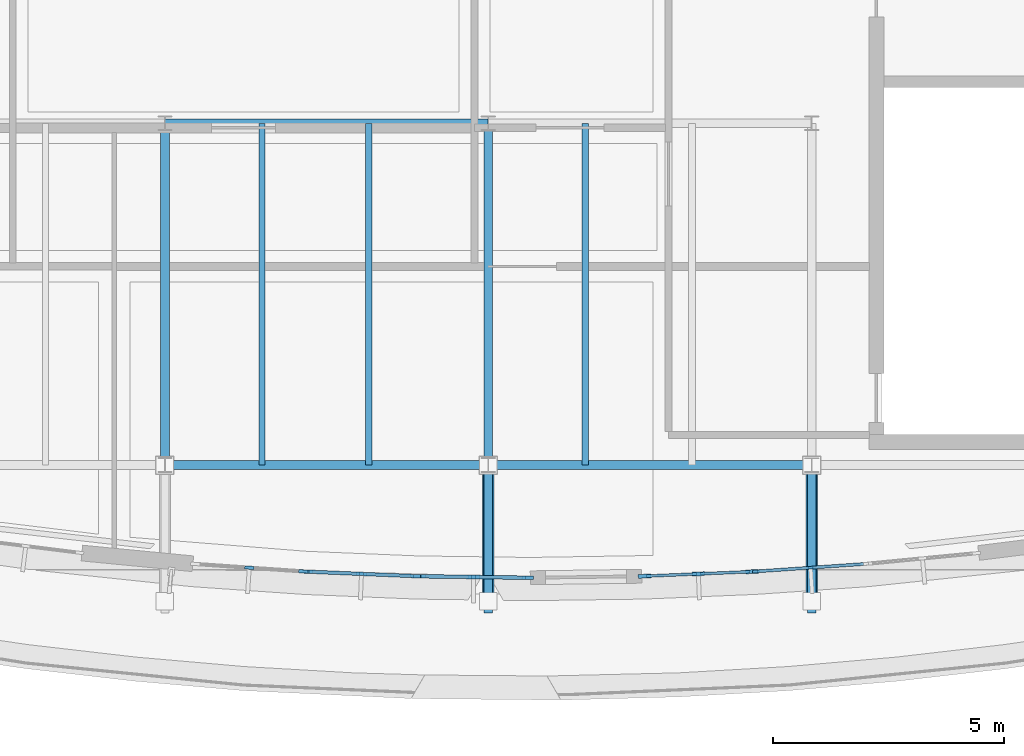
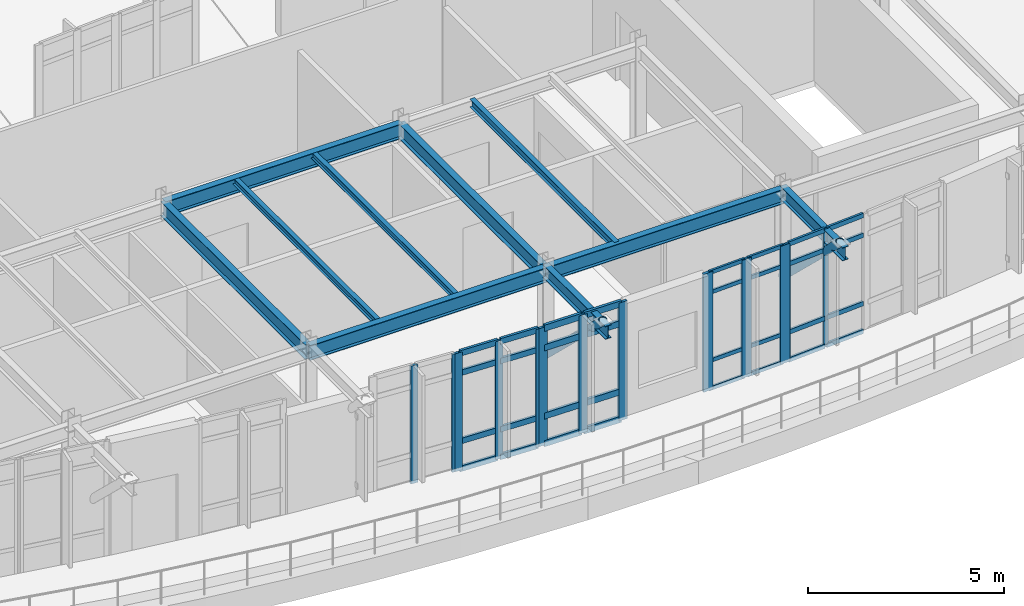
# One storey, part 30 of 105: 47 members, 10 beams, 5 elements without a shape of their own.
"""IFC4 building model written with IfcOpenShell, lengths in metres."""

from ifc_helpers import new_model, si_unit, direction, frame, origin, origin_2d, place, context, subcontext, project, spatial, rectangle, hollow_circle, i_section, extrude, material, material_profile, profile_set, type_object, element, aggregate, save


model = new_model("IFC4")

# Units and contexts
model_context = context("Model", 3, precision=1e-05, world=origin(), true_north=direction((0.0, 1.0)))
body_context = subcontext(model_context, "Body", "Model", "MODEL_VIEW")
ifc_project = project(units=[si_unit("LENGTHUNIT", "METRE"), si_unit("AREAUNIT", "SQUARE_METRE"), si_unit("VOLUMEUNIT", "CUBIC_METRE"), si_unit("PLANEANGLEUNIT", "RADIAN"), si_unit("MASSUNIT", "GRAM", prefix="KILO")], contexts=[model_context])

# Site, building, storey
site_placement = place(None, origin())
site = spatial("IfcSite", under=ifc_project, at=site_placement, CompositionType="ELEMENT")
building_placement = place(site_placement, origin())
building = spatial("IfcBuilding", under=site, at=building_placement, Name="Corveleigh Park Community Centre", CompositionType="ELEMENT")
storey_placement = place(building_placement, frame((0.0, 0.0, 8.699951171875)))
storey = spatial("IfcBuildingStorey", under=building, at=storey_placement, Name="L02", CompositionType="ELEMENT", Elevation=8.699951171875)

# Beams
ifc_material_1 = material(Name="Steel S355", Category="steel")
ifc_material_profile_1 = material_profile(ifc_material_1, i_section(OverallWidth=0.1337890625, OverallDepth=0.206787109375, WebThickness=0.00634765625, FlangeThickness=0.009521484375, at=origin_2d()), Name="UKB 203x133x30", Category="steel")
ifc_profile_set_1 = profile_set([ifc_material_profile_1], Name="Steel S355")
beam_type_1 = type_object("IfcBeamType", Name="BM-STL-UKB203x30", PredefinedType="JOIST", material=ifc_profile_set_1)
for number, where, z_axis, x_axis, name in (
    (1, (27.300048828125, 78.0048828125, 3.508544921875), (0.0, 1.0, 0.0), (-1.0, 0.0, 0.0), "Secondary floor joist"),
    (2, (29.610107421875, 78.0048828125, 3.508544921875), (0.0, 1.0, 0.0), (-1.0, 0.0, 0.0), "Secondary floor joist"),
):
    element("IfcBeam", number, at=place(storey_placement, frame(where, z_axis=z_axis, x_axis=x_axis)), inside=storey, type_object=beam_type_1, Name=name, PredefinedType="JOIST", context=body_context, shape_type="SweptSolid", body=[
        extrude(i_section(OverallWidth=0.1337890625, OverallDepth=0.206787109375, WebThickness=0.00634765625, FlangeThickness=0.009521484375, at=origin_2d()), origin(), (0.0, 0.0, 1.0), 7.39013671875),
    ])
ifc_material_profile_2 = material_profile(ifc_material_1, i_section(OverallWidth=0.14599609375, OverallDepth=0.25146484375, WebThickness=0.006103515625, FlangeThickness=0.008544921875, at=origin_2d()), Name="UKB 254x146x31", Category="steel")
ifc_profile_set_2 = profile_set([ifc_material_profile_2], Name="Steel S355")
beam_type_2 = type_object("IfcBeamType", Name="BM-STL-UKB254x31", PredefinedType="JOIST", material=ifc_profile_set_2)
beam_placement = place(storey_placement, frame((34.300048828125, 78.0048828125, 3.486328125), z_axis=(0.0, 1.0, 0.0), x_axis=(-1.0, 0.0, 0.0)))
element("IfcBeam", 3, at=beam_placement, inside=storey, type_object=beam_type_2, Name="Secondary floor joist", PredefinedType="JOIST", context=body_context, shape_type="SweptSolid", body=[
    extrude(i_section(OverallWidth=0.14599609375, OverallDepth=0.25146484375, WebThickness=0.006103515625, FlangeThickness=0.008544921875, at=origin_2d()), origin(), (0.0, 0.0, 1.0), 7.39013671875),
])
ifc_material_profile_3 = material_profile(ifc_material_1, i_section(OverallWidth=0.1787109375, OverallDepth=0.409423828125, WebThickness=0.0087890625, FlangeThickness=0.014404296875, at=origin_2d()), Name="UKB 406x178x67", Category="steel")
ifc_profile_set_3 = profile_set([ifc_material_profile_3], Name="Steel S355")
beam_type_3 = type_object("IfcBeamType", Name="BM-STL-UKB406x67", PredefinedType="BEAM", material=ifc_profile_set_3)
for number, where, z_axis, x_axis, name in (
    (4, (32.199951171875, 77.989990234375, 3.475341796875), (0.0, -1.0, 0.0), (1.0, 0.0, 0.0), "V2 South Pebble Overhang Strut 4 Outrigger"),
    (5, (39.199951171875, 77.989990234375, 3.475341796875), (0.0, -1.0, 0.0), (1.0, 0.0, 0.0), "V2 South Pebble Overhang Strut 5 Outrigger"),
):
    element("IfcBeam", number, at=place(storey_placement, frame(where, z_axis=z_axis, x_axis=x_axis)), inside=storey, type_object=beam_type_3, Name=name, PredefinedType="BEAM", context=body_context, shape_type="SweptSolid", body=[
        extrude(i_section(OverallWidth=0.1787109375, OverallDepth=0.409423828125, WebThickness=0.0087890625, FlangeThickness=0.014404296875, at=origin_2d()), origin(), (0.0, 0.0, 1.0), 3.18994140625),
    ])
ifc_material_profile_4 = material_profile(ifc_material_1, i_section(OverallWidth=0.1904296875, OverallDepth=0.45703125, WebThickness=0.009033203125, FlangeThickness=0.014404296875, at=origin_2d()), Name="UKB 457x191x74", Category="steel")
ifc_profile_set_4 = profile_set([ifc_material_profile_4], Name="Steel S355")
beam_type_4 = type_object("IfcBeamType", Name="BM-STL-UKB457x74", PredefinedType="BEAM", material=ifc_profile_set_4)
for number, where, z_axis, x_axis, name in (
    (6, (25.199951171875, 78.0048828125, 3.383544921875), (0.0, 1.0, 0.0), (-1.0, 0.0, 0.0), "V2 Studio Girder Y"),
    (7, (32.199951171875, 78.0048828125, 3.383544921875), (0.0, 1.0, 0.0), (-1.0, 0.0, 0.0), "V2 Studio Girder Y"),
):
    element("IfcBeam", number, at=place(storey_placement, frame(where, z_axis=z_axis, x_axis=x_axis)), inside=storey, type_object=beam_type_4, Name=name, PredefinedType="BEAM", context=body_context, shape_type="SweptSolid", body=[
        extrude(i_section(OverallWidth=0.1904296875, OverallDepth=0.45703125, WebThickness=0.009033203125, FlangeThickness=0.014404296875, at=origin_2d()), origin(), (0.0, 0.0, 1.0), 7.39013671875),
    ])
ifc_material_profile_5 = material_profile(ifc_material_1, i_section(OverallWidth=0.19140625, OverallDepth=0.4599609375, WebThickness=0.010009765625, FlangeThickness=0.01611328125, at=origin_2d()), Name="UKB 457x191x82", Category="steel")
ifc_profile_set_5 = profile_set([ifc_material_profile_5], Name="Steel S355")
beam_type_5 = type_object("IfcBeamType", Name="BM-STL-UKB457x82", PredefinedType="BEAM", material=ifc_profile_set_5)
for number, where, z_axis, x_axis, name in (
    (8, (25.205078125, 78.0, 3.382080078125), (1.0, 0.0, 0.0), (0.0, 1.0, 0.0), "V2 Studio Girder X"),
    (9, (32.205078125, 78.0, 3.382080078125), (1.0, 0.0, 0.0), (0.0, 1.0, 0.0), "V2 Studio Girder X"),
    (10, (25.205078125, 85.39990234375, 3.382080078125), (1.0, 0.0, 0.0), (0.0, 1.0, 0.0), "V2 Studio Girder X"),
):
    element("IfcBeam", number, at=place(storey_placement, frame(where, z_axis=z_axis, x_axis=x_axis)), inside=storey, type_object=beam_type_5, Name=name, PredefinedType="BEAM", context=body_context, shape_type="SweptSolid", body=[
        extrude(i_section(OverallWidth=0.19140625, OverallDepth=0.4599609375, WebThickness=0.010009765625, FlangeThickness=0.01611328125, at=origin_2d()), origin(), (0.0, 0.0, 1.0), 6.989990234375),
    ])

# Curtain wall, members
ifc_material_2 = material(Name="Anodised aluminium 6063-T6", Category="aluminium")
curtain_wall_type = type_object("IfcCurtainWallType", Name="CW-SYS-V2-HALL", PredefinedType="NOTDEFINED", material=ifc_material_2)
curtain_wall_1_placement = place(storey_placement, origin())
curtain_wall_1 = element("IfcCurtainWall", 11, at=curtain_wall_1_placement, inside=storey, type_object=curtain_wall_type, Name="V2 L02 Curtain Wall 307", PredefinedType="NOTDEFINED")
ifc_material_profile_6 = material_profile(ifc_material_2, rectangle(XDim=0.06005859375, YDim=0.159912109375, at=origin_2d()), Name="ALU-M60x160", Category="aluminium")
ifc_profile_set_6 = profile_set([ifc_material_profile_6], Name="Anodised aluminium 6063-T6")
member_type_1 = type_object("IfcMemberType", Name="CWM-60x160", PredefinedType="MULLION", material=ifc_profile_set_6)
member_1_placement = place(storey_placement, frame((39.174072265625, 75.778076171875, 0.0), z_axis=(0.0, 0.0, 1.0), x_axis=(0.068773654486, -0.997632289197, 0.0)))
member_1 = element("IfcMember", 12, at=member_1_placement, type_object=member_type_1, Name="CW04 mullion 2", PredefinedType="MULLION", context=body_context, shape_type="SweptSolid", body=[
    extrude(rectangle(XDim=0.06005859375, YDim=0.159912109375, at=origin_2d()), origin(), (0.0, 0.0, 1.0), 3.679931640625),
])
member_2_placement = place(storey_placement, frame((38.0, 75.697021484375, 0.0), z_axis=(0.0, 0.0, 1.0), x_axis=(0.068773654486, -0.997632289197, 0.0)))
member_2 = element("IfcMember", 13, at=member_2_placement, type_object=member_type_1, Name="CW04 mullion 3", PredefinedType="MULLION", context=body_context, shape_type="SweptSolid", body=[
    extrude(rectangle(XDim=0.06005859375, YDim=0.159912109375, at=origin_2d()), origin(), (0.0, 0.0, 1.0), 3.679931640625),
])

curtain_wall_2_placement = place(storey_placement, origin())
curtain_wall_2 = element("IfcCurtainWall", 14, at=curtain_wall_2_placement, inside=storey, type_object=curtain_wall_type, Name="V2 L02 Curtain Wall 303", PredefinedType="NOTDEFINED")
ifc_material_profile_7 = material_profile(ifc_material_2, rectangle(XDim=0.070068359375, YDim=0.199951171875, at=origin_2d()), Name="ALU-M70x200", Category="aluminium")
ifc_profile_set_7 = profile_set([ifc_material_profile_7], Name="Anodised aluminium 6063-T6")
member_type_2 = type_object("IfcMemberType", Name="CWM-70x200", PredefinedType="MULLION", material=ifc_profile_set_7)
member_3_placement = place(storey_placement, frame((28.195068359375, 75.697509765625, 0.0), z_axis=(0.0, 0.0, 1.0), x_axis=(-0.068773654486, -0.997632289197, 0.0)))
member_3 = element("IfcMember", 15, at=member_3_placement, type_object=member_type_2, Name="CW04 mullion 1", PredefinedType="MULLION", context=body_context, shape_type="SweptSolid", body=[
    extrude(rectangle(XDim=0.070068359375, YDim=0.199951171875, at=origin_2d()), origin(), (0.0, 0.0, 1.0), 3.679931640625),
])
member_4_placement = place(storey_placement, frame((27.02587890625, 75.778076171875, 0.0), z_axis=(0.0, 0.0, 1.0), x_axis=(-0.068773654486, -0.997632289197, 0.0)))
member_4 = element("IfcMember", 16, at=member_4_placement, type_object=member_type_2, Name="CW04 mullion 2", PredefinedType="MULLION", context=body_context, shape_type="SweptSolid", body=[
    extrude(rectangle(XDim=0.070068359375, YDim=0.199951171875, at=origin_2d()), origin(), (0.0, 0.0, 1.0), 3.679931640625),
])
aggregate(curtain_wall_2, [member_3, member_4])

curtain_wall_3_placement = place(storey_placement, origin())
curtain_wall_3 = element("IfcCurtainWall", 17, at=curtain_wall_3_placement, inside=storey, type_object=curtain_wall_type, Name="V2 L02 Curtain Wall 304", PredefinedType="NOTDEFINED")
ifc_material_profile_8 = material_profile(ifc_material_2, rectangle(XDim=0.074951171875, YDim=0.219970703125, at=origin_2d()), Name="ALU-M75x220", Category="aluminium")
ifc_profile_set_8 = profile_set([ifc_material_profile_8], Name="Anodised aluminium 6063-T6")
member_type_3 = type_object("IfcMemberType", Name="CWM-75x220", PredefinedType="MULLION", material=ifc_profile_set_8)
member_5_placement = place(storey_placement, frame((30.62255859375, 75.594482421875, 0.0), z_axis=(0.0, 0.0, 1.0), x_axis=(-0.041837300215, -0.99912443685, 0.0)))
member_5 = element("IfcMember", 18, at=member_5_placement, type_object=member_type_3, Name="CW04 mullion 1", PredefinedType="MULLION", context=body_context, shape_type="SweptSolid", body=[
    extrude(rectangle(XDim=0.074951171875, YDim=0.219970703125, at=origin_2d()), origin(), (0.0, 0.0, 1.0), 3.679931640625),
])
member_6_placement = place(storey_placement, frame((29.4541015625, 75.6435546875, 0.0), z_axis=(0.0, 0.0, 1.0), x_axis=(-0.041837300215, -0.99912443685, 0.0)))
member_6 = element("IfcMember", 19, at=member_6_placement, type_object=member_type_3, Name="CW04 mullion 2", PredefinedType="MULLION", context=body_context, shape_type="SweptSolid", body=[
    extrude(rectangle(XDim=0.074951171875, YDim=0.219970703125, at=origin_2d()), origin(), (0.0, 0.0, 1.0), 3.679931640625),
])
member_7_placement = place(storey_placement, frame((28.285400390625, 75.6923828125, 0.0), z_axis=(0.0, 0.0, 1.0), x_axis=(-0.041837300215, -0.99912443685, 0.0)))
member_7 = element("IfcMember", 20, at=member_7_placement, type_object=member_type_3, Name="CW04 mullion 3", PredefinedType="MULLION", context=body_context, shape_type="SweptSolid", body=[
    extrude(rectangle(XDim=0.074951171875, YDim=0.219970703125, at=origin_2d()), origin(), (0.0, 0.0, 1.0), 3.679931640625),
])

curtain_wall_4_placement = place(storey_placement, origin())
curtain_wall_4 = element("IfcCurtainWall", 21, at=curtain_wall_4_placement, inside=storey, type_object=curtain_wall_type, Name="V2 L02 Curtain Wall 305", PredefinedType="NOTDEFINED")
ifc_material_profile_9 = material_profile(ifc_material_2, rectangle(XDim=0.080078125, YDim=0.25, at=origin_2d()), Name="ALU-M80x250", Category="aluminium")
ifc_profile_set_9 = profile_set([ifc_material_profile_9], Name="Anodised aluminium 6063-T6")
member_type_4 = type_object("IfcMemberType", Name="CWM-80x250", PredefinedType="MULLION", material=ifc_profile_set_9)
member_8_placement = place(storey_placement, frame((33.051025390625, 75.560546875, 0.0), z_axis=(0.0, 0.0, 1.0), x_axis=(-0.013674643352, -0.999906497693, 0.0)))
member_8 = element("IfcMember", 22, at=member_8_placement, type_object=member_type_4, Name="CW04 mullion 1", PredefinedType="MULLION", context=body_context, shape_type="SweptSolid", body=[
    extrude(rectangle(XDim=0.080078125, YDim=0.25, at=origin_2d()), origin(), (0.0, 0.0, 1.0), 3.679931640625),
])
member_9_placement = place(storey_placement, frame((31.884521484375, 75.576416015625, 0.0), z_axis=(0.0, 0.0, 1.0), x_axis=(-0.013674643352, -0.999906497693, 0.0)))
member_9 = element("IfcMember", 23, at=member_9_placement, type_object=member_type_4, Name="CW04 mullion 2", PredefinedType="MULLION", context=body_context, shape_type="SweptSolid", body=[
    extrude(rectangle(XDim=0.080078125, YDim=0.25, at=origin_2d()), origin(), (0.0, 0.0, 1.0), 3.679931640625),
])
member_10_placement = place(storey_placement, frame((30.718017578125, 75.592529296875, 0.0), z_axis=(0.0, 0.0, 1.0), x_axis=(-0.013674643352, -0.999906497693, 0.0)))
member_10 = element("IfcMember", 24, at=member_10_placement, type_object=member_type_4, Name="CW04 mullion 3", PredefinedType="MULLION", context=body_context, shape_type="SweptSolid", body=[
    extrude(rectangle(XDim=0.080078125, YDim=0.25, at=origin_2d()), origin(), (0.0, 0.0, 1.0), 3.679931640625),
])

curtain_wall_5_placement = place(storey_placement, origin())
curtain_wall_5 = element("IfcCurtainWall", 25, at=curtain_wall_5_placement, inside=storey, type_object=curtain_wall_type, Name="V2 L02 Curtain Wall 306", PredefinedType="NOTDEFINED")
ifc_material_profile_10 = material_profile(ifc_material_2, rectangle(XDim=0.0849609375, YDim=0.27490234375, at=origin_2d()), Name="ALU-M85x275", Category="aluminium")
ifc_profile_set_10 = profile_set([ifc_material_profile_10], Name="Anodised aluminium 6063-T6")
member_type_5 = type_object("IfcMemberType", Name="CWM-85x275", PredefinedType="MULLION", material=ifc_profile_set_10)
member_11_placement = place(storey_placement, frame((37.909423828125, 75.692138671875, 0.0), z_axis=(0.0, 0.0, 1.0), x_axis=(0.041837300215, -0.99912443685, 0.0)))
member_11 = element("IfcMember", 26, at=member_11_placement, type_object=member_type_5, Name="CW04 mullion 1", PredefinedType="MULLION", context=body_context, shape_type="SweptSolid", body=[
    extrude(rectangle(XDim=0.0849609375, YDim=0.27490234375, at=origin_2d()), origin(), (0.0, 0.0, 1.0), 3.679931640625),
])
member_12_placement = place(storey_placement, frame((36.74609375, 75.6435546875, 0.0), z_axis=(0.0, 0.0, 1.0), x_axis=(0.041837300215, -0.99912443685, 0.0)))
member_12 = element("IfcMember", 27, at=member_12_placement, type_object=member_type_5, Name="CW04 mullion 2", PredefinedType="MULLION", context=body_context, shape_type="SweptSolid", body=[
    extrude(rectangle(XDim=0.0849609375, YDim=0.27490234375, at=origin_2d()), origin(), (0.0, 0.0, 1.0), 3.679931640625),
])
member_13_placement = place(storey_placement, frame((35.58251953125, 75.5947265625, 0.0), z_axis=(0.0, 0.0, 1.0), x_axis=(0.041837300215, -0.99912443685, 0.0)))
member_13 = element("IfcMember", 28, at=member_13_placement, type_object=member_type_5, Name="CW04 mullion 3", PredefinedType="MULLION", context=body_context, shape_type="SweptSolid", body=[
    extrude(rectangle(XDim=0.0849609375, YDim=0.27490234375, at=origin_2d()), origin(), (0.0, 0.0, 1.0), 3.679931640625),
])
ifc_material_profile_11 = material_profile(ifc_material_2, rectangle(XDim=0.06005859375, YDim=0.1201171875, at=origin_2d()), Name="ALU-T60x120", Category="aluminium")
ifc_profile_set_11 = profile_set([ifc_material_profile_11], Name="Anodised aluminium 6063-T6")
member_type_6 = type_object("IfcMemberType", Name="CWT-60x120", PredefinedType="USERDEFINED", material=ifc_profile_set_11)
member_14_placement = place(storey_placement, frame((37.8671875, 75.6904296875, 0.030029296875), z_axis=(-0.999124429011, -0.041837487408, 0.0), x_axis=(0.041837487408, -0.999124429011, 0.0)))
member_14 = element("IfcMember", 29, at=member_14_placement, type_object=member_type_6, Name="CW04 transom 1.1", ObjectType="TRANSOM", PredefinedType="USERDEFINED", context=body_context, shape_type="SweptSolid", body=[
    extrude(rectangle(XDim=0.06005859375, YDim=0.1201171875, at=origin_2d()), origin(), (0.0, 0.0, 1.0), 1.07958984375),
])
member_15_placement = place(storey_placement, frame((37.8671875, 75.6904296875, 0.900146484375), z_axis=(-0.999124429011, -0.041837487408, 0.0), x_axis=(0.041837487408, -0.999124429011, 0.0)))
member_15 = element("IfcMember", 30, at=member_15_placement, type_object=member_type_6, Name="CW04 transom 1.2", ObjectType="TRANSOM", PredefinedType="USERDEFINED", context=body_context, shape_type="SweptSolid", body=[
    extrude(rectangle(XDim=0.06005859375, YDim=0.1201171875, at=origin_2d()), origin(), (0.0, 0.0, 1.0), 1.07958984375),
])
member_16_placement = place(storey_placement, frame((37.8671875, 75.6904296875, 3.030029296875), z_axis=(-0.999124429011, -0.041837487408, 0.0), x_axis=(0.041837487408, -0.999124429011, 0.0)))
member_16 = element("IfcMember", 31, at=member_16_placement, type_object=member_type_6, Name="CW04 transom 1.3", ObjectType="TRANSOM", PredefinedType="USERDEFINED", context=body_context, shape_type="SweptSolid", body=[
    extrude(rectangle(XDim=0.06005859375, YDim=0.1201171875, at=origin_2d()), origin(), (0.0, 0.0, 1.0), 1.07958984375),
])
member_17_placement = place(storey_placement, frame((37.8671875, 75.6904296875, 3.650146484375), z_axis=(-0.999124429011, -0.041837487408, 0.0), x_axis=(0.041837487408, -0.999124429011, 0.0)))
member_17 = element("IfcMember", 32, at=member_17_placement, type_object=member_type_6, Name="CW04 transom 1.4", ObjectType="TRANSOM", PredefinedType="USERDEFINED", context=body_context, shape_type="SweptSolid", body=[
    extrude(rectangle(XDim=0.06005859375, YDim=0.1201171875, at=origin_2d()), origin(), (0.0, 0.0, 1.0), 1.07958984375),
])
member_18_placement = place(storey_placement, frame((36.70361328125, 75.6416015625, 0.030029296875), z_axis=(-0.999124429011, -0.041837487408, 0.0), x_axis=(0.041837487408, -0.999124429011, 0.0)))
member_18 = element("IfcMember", 33, at=member_18_placement, type_object=member_type_6, Name="CW04 transom 2.1", ObjectType="TRANSOM", PredefinedType="USERDEFINED", context=body_context, shape_type="SweptSolid", body=[
    extrude(rectangle(XDim=0.06005859375, YDim=0.1201171875, at=origin_2d()), origin(), (0.0, 0.0, 1.0), 1.07958984375),
])
member_19_placement = place(storey_placement, frame((36.70361328125, 75.6416015625, 0.900146484375), z_axis=(-0.999124429011, -0.041837487408, 0.0), x_axis=(0.041837487408, -0.999124429011, 0.0)))
member_19 = element("IfcMember", 34, at=member_19_placement, type_object=member_type_6, Name="CW04 transom 2.2", ObjectType="TRANSOM", PredefinedType="USERDEFINED", context=body_context, shape_type="SweptSolid", body=[
    extrude(rectangle(XDim=0.06005859375, YDim=0.1201171875, at=origin_2d()), origin(), (0.0, 0.0, 1.0), 1.07958984375),
])
member_20_placement = place(storey_placement, frame((36.70361328125, 75.6416015625, 3.030029296875), z_axis=(-0.999124429011, -0.041837487408, 0.0), x_axis=(0.041837487408, -0.999124429011, 0.0)))
member_20 = element("IfcMember", 35, at=member_20_placement, type_object=member_type_6, Name="CW04 transom 2.3", ObjectType="TRANSOM", PredefinedType="USERDEFINED", context=body_context, shape_type="SweptSolid", body=[
    extrude(rectangle(XDim=0.06005859375, YDim=0.1201171875, at=origin_2d()), origin(), (0.0, 0.0, 1.0), 1.07958984375),
])
member_21_placement = place(storey_placement, frame((36.70361328125, 75.6416015625, 3.650146484375), z_axis=(-0.999124429011, -0.041837487408, 0.0), x_axis=(0.041837487408, -0.999124429011, 0.0)))
member_21 = element("IfcMember", 36, at=member_21_placement, type_object=member_type_6, Name="CW04 transom 2.4", ObjectType="TRANSOM", PredefinedType="USERDEFINED", context=body_context, shape_type="SweptSolid", body=[
    extrude(rectangle(XDim=0.06005859375, YDim=0.1201171875, at=origin_2d()), origin(), (0.0, 0.0, 1.0), 1.07958984375),
])
aggregate(curtain_wall_5, [member_11, member_12, member_13, member_14, member_15, member_16, member_17, member_18, member_19, member_20, member_21])

# Member
ifc_material_profile_12 = material_profile(ifc_material_2, rectangle(XDim=0.06494140625, YDim=0.139892578125, at=origin_2d()), Name="ALU-T65x140", Category="aluminium")
ifc_profile_set_12 = profile_set([ifc_material_profile_12], Name="Anodised aluminium 6063-T6")
member_type_7 = type_object("IfcMemberType", Name="CWT-65x140", PredefinedType="USERDEFINED", material=ifc_profile_set_12)
member_22_placement = place(storey_placement, frame((40.318115234375, 75.85693359375, 0.032470703125), z_axis=(-0.997626705497, -0.068854603907, 0.0), x_axis=(0.068854603907, -0.997626705497, 0.0)))
member_22 = element("IfcMember", 37, at=member_22_placement, type_object=member_type_7, Name="CW04 transom 1.1", ObjectType="TRANSOM", PredefinedType="USERDEFINED", context=body_context, shape_type="SweptSolid", body=[
    extrude(rectangle(XDim=0.06494140625, YDim=0.139892578125, at=origin_2d()), origin(), (0.0, 0.0, 1.0), 1.116943359375),
])

member_23_placement = place(storey_placement, frame((40.318115234375, 75.85693359375, 0.900146484375), z_axis=(-0.997626705497, -0.068854603907, 0.0), x_axis=(0.068854603907, -0.997626705497, 0.0)))
member_23 = element("IfcMember", 38, at=member_23_placement, type_object=member_type_7, Name="CW04 transom 1.2", ObjectType="TRANSOM", PredefinedType="USERDEFINED", context=body_context, shape_type="SweptSolid", body=[
    extrude(rectangle(XDim=0.06494140625, YDim=0.139892578125, at=origin_2d()), origin(), (0.0, 0.0, 1.0), 1.116943359375),
])

member_24_placement = place(storey_placement, frame((40.318115234375, 75.85693359375, 3.030029296875), z_axis=(-0.997626705497, -0.068854603907, 0.0), x_axis=(0.068854603907, -0.997626705497, 0.0)))
member_24 = element("IfcMember", 39, at=member_24_placement, type_object=member_type_7, Name="CW04 transom 1.3", ObjectType="TRANSOM", PredefinedType="USERDEFINED", context=body_context, shape_type="SweptSolid", body=[
    extrude(rectangle(XDim=0.06494140625, YDim=0.139892578125, at=origin_2d()), origin(), (0.0, 0.0, 1.0), 1.116943359375),
])

member_25_placement = place(storey_placement, frame((40.318115234375, 75.85693359375, 3.6474609375), z_axis=(-0.997626705497, -0.068854603907, 0.0), x_axis=(0.068854603907, -0.997626705497, 0.0)))
member_25 = element("IfcMember", 40, at=member_25_placement, type_object=member_type_7, Name="CW04 transom 1.4", ObjectType="TRANSOM", PredefinedType="USERDEFINED", context=body_context, shape_type="SweptSolid", body=[
    extrude(rectangle(XDim=0.06494140625, YDim=0.139892578125, at=origin_2d()), origin(), (0.0, 0.0, 1.0), 1.116943359375),
])

member_26_placement = place(storey_placement, frame((39.14404296875, 75.77587890625, 0.032470703125), z_axis=(-0.997641696938, -0.068637049263, 0.0), x_axis=(0.068637049263, -0.997641696938, 0.0)))
member_26 = element("IfcMember", 41, at=member_26_placement, type_object=member_type_7, Name="CW04 transom 2.1", ObjectType="TRANSOM", PredefinedType="USERDEFINED", context=body_context, shape_type="SweptSolid", body=[
    extrude(rectangle(XDim=0.06494140625, YDim=0.139892578125, at=origin_2d()), origin(), (0.0, 0.0, 1.0), 1.116943359375),
])

member_27_placement = place(storey_placement, frame((39.14404296875, 75.77587890625, 0.900146484375), z_axis=(-0.997641696938, -0.068637049263, 0.0), x_axis=(0.068637049263, -0.997641696938, 0.0)))
member_27 = element("IfcMember", 42, at=member_27_placement, type_object=member_type_7, Name="CW04 transom 2.2", ObjectType="TRANSOM", PredefinedType="USERDEFINED", context=body_context, shape_type="SweptSolid", body=[
    extrude(rectangle(XDim=0.06494140625, YDim=0.139892578125, at=origin_2d()), origin(), (0.0, 0.0, 1.0), 1.116943359375),
])

member_28_placement = place(storey_placement, frame((39.14404296875, 75.77587890625, 3.030029296875), z_axis=(-0.997641696938, -0.068637049263, 0.0), x_axis=(0.068637049263, -0.997641696938, 0.0)))
member_28 = element("IfcMember", 43, at=member_28_placement, type_object=member_type_7, Name="CW04 transom 2.3", ObjectType="TRANSOM", PredefinedType="USERDEFINED", context=body_context, shape_type="SweptSolid", body=[
    extrude(rectangle(XDim=0.06494140625, YDim=0.139892578125, at=origin_2d()), origin(), (0.0, 0.0, 1.0), 1.116943359375),
])

member_29_placement = place(storey_placement, frame((39.14404296875, 75.77587890625, 3.6474609375), z_axis=(-0.997641696938, -0.068637049263, 0.0), x_axis=(0.068637049263, -0.997641696938, 0.0)))
member_29 = element("IfcMember", 44, at=member_29_placement, type_object=member_type_7, Name="CW04 transom 2.4", ObjectType="TRANSOM", PredefinedType="USERDEFINED", context=body_context, shape_type="SweptSolid", body=[
    extrude(rectangle(XDim=0.06494140625, YDim=0.139892578125, at=origin_2d()), origin(), (0.0, 0.0, 1.0), 1.116943359375),
])

aggregate(curtain_wall_1, [member_1, member_2, member_22, member_23, member_24, member_25, member_26, member_27, member_28, member_29])

ifc_material_profile_13 = material_profile(ifc_material_2, rectangle(XDim=0.074951171875, YDim=0.175048828125, at=origin_2d()), Name="ALU-T75x175", Category="aluminium")
ifc_profile_set_13 = profile_set([ifc_material_profile_13], Name="Anodised aluminium 6063-T6")
member_type_8 = type_object("IfcMemberType", Name="CWT-75x175", PredefinedType="USERDEFINED", material=ifc_profile_set_13)
member_30_placement = place(storey_placement, frame((30.5849609375, 75.59619140625, 0.03759765625), z_axis=(-0.999129590178, 0.041714050762, 0.0), x_axis=(-0.041714050762, -0.999129590178, 0.0)))
member_30 = element("IfcMember", 45, at=member_30_placement, type_object=member_type_8, Name="CW04 transom 1.1", ObjectType="TRANSOM", PredefinedType="USERDEFINED", context=body_context, shape_type="SweptSolid", body=[
    extrude(rectangle(XDim=0.074951171875, YDim=0.175048828125, at=origin_2d()), origin(), (0.0, 0.0, 1.0), 1.094482421875),
])

member_31_placement = place(storey_placement, frame((30.5849609375, 75.59619140625, 0.900146484375), z_axis=(-0.999129590178, 0.041714050762, 0.0), x_axis=(-0.041714050762, -0.999129590178, 0.0)))
member_31 = element("IfcMember", 46, at=member_31_placement, type_object=member_type_8, Name="CW04 transom 1.2", ObjectType="TRANSOM", PredefinedType="USERDEFINED", context=body_context, shape_type="SweptSolid", body=[
    extrude(rectangle(XDim=0.074951171875, YDim=0.175048828125, at=origin_2d()), origin(), (0.0, 0.0, 1.0), 1.094482421875),
])

member_32_placement = place(storey_placement, frame((30.5849609375, 75.59619140625, 3.030029296875), z_axis=(-0.999129590178, 0.041714050762, 0.0), x_axis=(-0.041714050762, -0.999129590178, 0.0)))
member_32 = element("IfcMember", 47, at=member_32_placement, type_object=member_type_8, Name="CW04 transom 1.3", ObjectType="TRANSOM", PredefinedType="USERDEFINED", context=body_context, shape_type="SweptSolid", body=[
    extrude(rectangle(XDim=0.074951171875, YDim=0.175048828125, at=origin_2d()), origin(), (0.0, 0.0, 1.0), 1.094482421875),
])

member_33_placement = place(storey_placement, frame((30.5849609375, 75.59619140625, 3.642578125), z_axis=(-0.999129590178, 0.041714050762, 0.0), x_axis=(-0.041714050762, -0.999129590178, 0.0)))
member_33 = element("IfcMember", 48, at=member_33_placement, type_object=member_type_8, Name="CW04 transom 1.4", ObjectType="TRANSOM", PredefinedType="USERDEFINED", context=body_context, shape_type="SweptSolid", body=[
    extrude(rectangle(XDim=0.074951171875, YDim=0.175048828125, at=origin_2d()), origin(), (0.0, 0.0, 1.0), 1.094482421875),
])

member_34_placement = place(storey_placement, frame((29.41650390625, 75.64501953125, 0.03759765625), z_axis=(-0.999120268405, 0.041936729283, 0.0), x_axis=(-0.041936729283, -0.999120268405, 0.0)))
member_34 = element("IfcMember", 49, at=member_34_placement, type_object=member_type_8, Name="CW04 transom 2.1", ObjectType="TRANSOM", PredefinedType="USERDEFINED", context=body_context, shape_type="SweptSolid", body=[
    extrude(rectangle(XDim=0.074951171875, YDim=0.175048828125, at=origin_2d()), origin(), (0.0, 0.0, 1.0), 1.094482421875),
])

member_35_placement = place(storey_placement, frame((29.41650390625, 75.64501953125, 0.900146484375), z_axis=(-0.999120268405, 0.041936729283, 0.0), x_axis=(-0.041936729283, -0.999120268405, 0.0)))
member_35 = element("IfcMember", 50, at=member_35_placement, type_object=member_type_8, Name="CW04 transom 2.2", ObjectType="TRANSOM", PredefinedType="USERDEFINED", context=body_context, shape_type="SweptSolid", body=[
    extrude(rectangle(XDim=0.074951171875, YDim=0.175048828125, at=origin_2d()), origin(), (0.0, 0.0, 1.0), 1.094482421875),
])

member_36_placement = place(storey_placement, frame((29.41650390625, 75.64501953125, 3.030029296875), z_axis=(-0.999120268405, 0.041936729283, 0.0), x_axis=(-0.041936729283, -0.999120268405, 0.0)))
member_36 = element("IfcMember", 51, at=member_36_placement, type_object=member_type_8, Name="CW04 transom 2.3", ObjectType="TRANSOM", PredefinedType="USERDEFINED", context=body_context, shape_type="SweptSolid", body=[
    extrude(rectangle(XDim=0.074951171875, YDim=0.175048828125, at=origin_2d()), origin(), (0.0, 0.0, 1.0), 1.094482421875),
])

member_37_placement = place(storey_placement, frame((29.41650390625, 75.64501953125, 3.642578125), z_axis=(-0.999120268405, 0.041936729283, 0.0), x_axis=(-0.041936729283, -0.999120268405, 0.0)))
member_37 = element("IfcMember", 52, at=member_37_placement, type_object=member_type_8, Name="CW04 transom 2.4", ObjectType="TRANSOM", PredefinedType="USERDEFINED", context=body_context, shape_type="SweptSolid", body=[
    extrude(rectangle(XDim=0.074951171875, YDim=0.175048828125, at=origin_2d()), origin(), (0.0, 0.0, 1.0), 1.094482421875),
])

aggregate(curtain_wall_3, [member_5, member_6, member_7, member_30, member_31, member_32, member_33, member_34, member_35, member_36, member_37])

ifc_material_profile_14 = material_profile(ifc_material_2, rectangle(XDim=0.080078125, YDim=0.195068359375, at=origin_2d()), Name="ALU-T80x195", Category="aluminium")
ifc_profile_set_14 = profile_set([ifc_material_profile_14], Name="Anodised aluminium 6063-T6")
member_type_9 = type_object("IfcMemberType", Name="CWT-80x195", PredefinedType="USERDEFINED", material=ifc_profile_set_14)
member_38_placement = place(storey_placement, frame((33.010986328125, 75.56103515625, 0.0400390625), z_axis=(-0.999906060455, 0.013706577458, 0.0), x_axis=(-0.013706577458, -0.999906060455, 0.0)))
member_38 = element("IfcMember", 53, at=member_38_placement, type_object=member_type_9, Name="CW04 transom 1.1", ObjectType="TRANSOM", PredefinedType="USERDEFINED", context=body_context, shape_type="SweptSolid", body=[
    extrude(rectangle(XDim=0.080078125, YDim=0.195068359375, at=origin_2d()), origin(), (0.0, 0.0, 1.0), 1.08642578125),
])

member_39_placement = place(storey_placement, frame((33.010986328125, 75.56103515625, 0.900146484375), z_axis=(-0.999906060455, 0.013706577458, 0.0), x_axis=(-0.013706577458, -0.999906060455, 0.0)))
member_39 = element("IfcMember", 54, at=member_39_placement, type_object=member_type_9, Name="CW04 transom 1.2", ObjectType="TRANSOM", PredefinedType="USERDEFINED", context=body_context, shape_type="SweptSolid", body=[
    extrude(rectangle(XDim=0.080078125, YDim=0.195068359375, at=origin_2d()), origin(), (0.0, 0.0, 1.0), 1.08642578125),
])

member_40_placement = place(storey_placement, frame((33.010986328125, 75.56103515625, 3.030029296875), z_axis=(-0.999906060455, 0.013706577458, 0.0), x_axis=(-0.013706577458, -0.999906060455, 0.0)))
member_40 = element("IfcMember", 55, at=member_40_placement, type_object=member_type_9, Name="CW04 transom 1.3", ObjectType="TRANSOM", PredefinedType="USERDEFINED", context=body_context, shape_type="SweptSolid", body=[
    extrude(rectangle(XDim=0.080078125, YDim=0.195068359375, at=origin_2d()), origin(), (0.0, 0.0, 1.0), 1.08642578125),
])

member_41_placement = place(storey_placement, frame((33.010986328125, 75.56103515625, 3.64013671875), z_axis=(-0.999906060455, 0.013706577458, 0.0), x_axis=(-0.013706577458, -0.999906060455, 0.0)))
member_41 = element("IfcMember", 56, at=member_41_placement, type_object=member_type_9, Name="CW04 transom 1.4", ObjectType="TRANSOM", PredefinedType="USERDEFINED", context=body_context, shape_type="SweptSolid", body=[
    extrude(rectangle(XDim=0.080078125, YDim=0.195068359375, at=origin_2d()), origin(), (0.0, 0.0, 1.0), 1.08642578125),
])

member_42_placement = place(storey_placement, frame((31.844482421875, 75.5771484375, 0.0400390625), z_axis=(-0.999909114778, 0.013481920649, 0.0), x_axis=(-0.013481920649, -0.999909114778, 0.0)))
member_42 = element("IfcMember", 57, at=member_42_placement, type_object=member_type_9, Name="CW04 transom 2.1", ObjectType="TRANSOM", PredefinedType="USERDEFINED", context=body_context, shape_type="SweptSolid", body=[
    extrude(rectangle(XDim=0.080078125, YDim=0.195068359375, at=origin_2d()), origin(), (0.0, 0.0, 1.0), 1.08642578125),
])

member_43_placement = place(storey_placement, frame((31.844482421875, 75.5771484375, 0.900146484375), z_axis=(-0.999909114778, 0.013481920649, 0.0), x_axis=(-0.013481920649, -0.999909114778, 0.0)))
member_43 = element("IfcMember", 58, at=member_43_placement, type_object=member_type_9, Name="CW04 transom 2.2", ObjectType="TRANSOM", PredefinedType="USERDEFINED", context=body_context, shape_type="SweptSolid", body=[
    extrude(rectangle(XDim=0.080078125, YDim=0.195068359375, at=origin_2d()), origin(), (0.0, 0.0, 1.0), 1.08642578125),
])

member_44_placement = place(storey_placement, frame((31.844482421875, 75.5771484375, 3.030029296875), z_axis=(-0.999909114778, 0.013481920649, 0.0), x_axis=(-0.013481920649, -0.999909114778, 0.0)))
member_44 = element("IfcMember", 59, at=member_44_placement, type_object=member_type_9, Name="CW04 transom 2.3", ObjectType="TRANSOM", PredefinedType="USERDEFINED", context=body_context, shape_type="SweptSolid", body=[
    extrude(rectangle(XDim=0.080078125, YDim=0.195068359375, at=origin_2d()), origin(), (0.0, 0.0, 1.0), 1.08642578125),
])

member_45_placement = place(storey_placement, frame((31.844482421875, 75.5771484375, 3.64013671875), z_axis=(-0.999909114778, 0.013481920649, 0.0), x_axis=(-0.013481920649, -0.999909114778, 0.0)))
member_45 = element("IfcMember", 60, at=member_45_placement, type_object=member_type_9, Name="CW04 transom 2.4", ObjectType="TRANSOM", PredefinedType="USERDEFINED", context=body_context, shape_type="SweptSolid", body=[
    extrude(rectangle(XDim=0.080078125, YDim=0.195068359375, at=origin_2d()), origin(), (0.0, 0.0, 1.0), 1.08642578125),
])

aggregate(curtain_wall_4, [member_8, member_9, member_10, member_38, member_39, member_40, member_41, member_42, member_43, member_44, member_45])

# Members
ifc_material_profile_15 = material_profile(ifc_material_1, hollow_circle(Radius=0.122314453125, WallThickness=0.012451171875, at=origin_2d()), Name="CHS 244.5x12.5", Category="steel")
ifc_profile_set_15 = profile_set([ifc_material_profile_15], Name="Steel S355")
member_type_10 = type_object("IfcMemberType", Name="MEM-STR-CHS245", PredefinedType="STRUT", material=ifc_profile_set_15)
for number, where, z_axis, x_axis, name in (
    (61, (32.199951171875, 78.0, 0.85009765625), (0.0, -0.721795069171, 0.692106840105), (1.0, 0.0, 0.0), "V2 South Pebble Overhang Strut 4"),
    (62, (39.199951171875, 78.0, 0.85009765625), (0.0, -0.721795069171, 0.692106840105), (1.0, 0.0, 0.0), "V2 South Pebble Overhang Strut 5"),
):
    element("IfcMember", number, at=place(storey_placement, frame(where, z_axis=z_axis, x_axis=x_axis)), inside=storey, type_object=member_type_10, Name=name, PredefinedType="STRUT", context=body_context, shape_type="SweptSolid", body=[
        extrude(hollow_circle(Radius=0.122314453125, WallThickness=0.012451171875, at=origin_2d()), origin(), (0.0, 0.0, 1.0), 4.078857421875),
    ])

save(model, "model.ifc")
